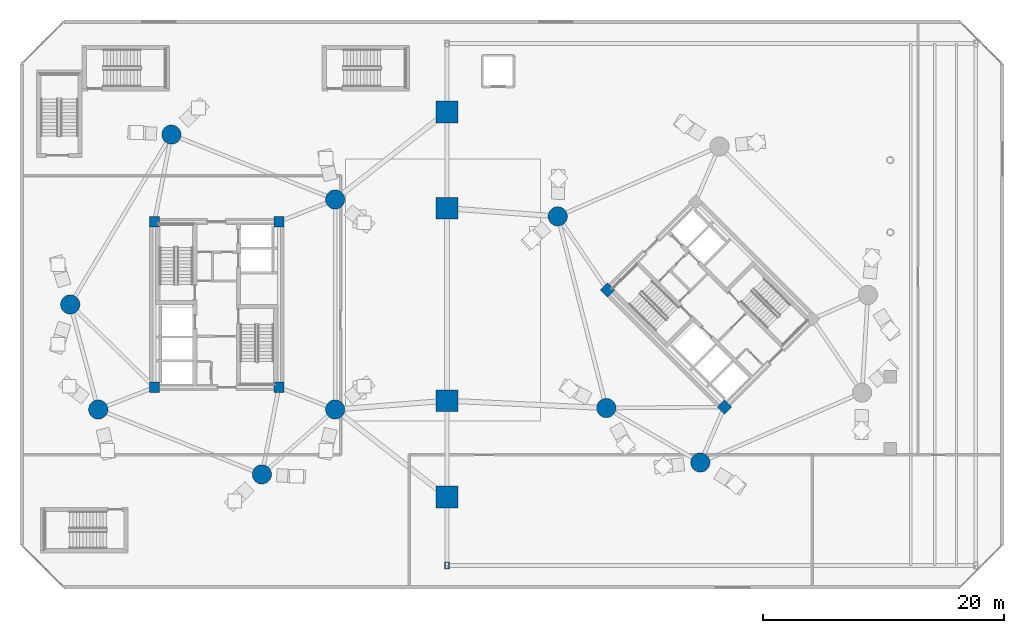
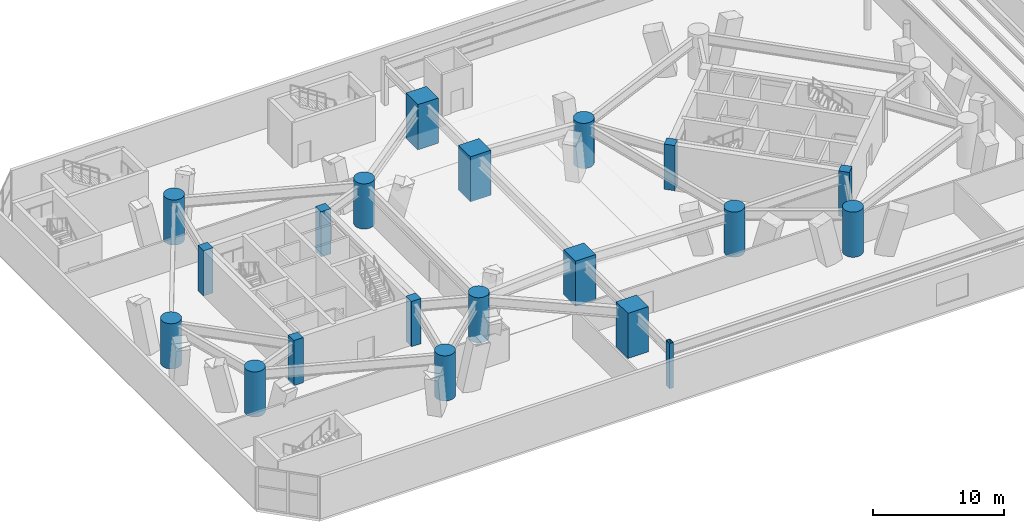
# One storey, part 1 of 20: 20 columns.
"""IFC4 building model written with IfcOpenShell, lengths in metres."""

from ifc_helpers import new_model, si_unit, direction, frame, origin, origin_2d, place, context, subcontext, project, spatial, rectangle, hollow_rectangle, circle, extrude, material, material_profile, profile_set, type_object, element, save


model = new_model("IFC4")

# Units and contexts
model_context = context("Model", 3, precision=1e-05, world=origin(), true_north=direction((0.0, 1.0)))
body_context = subcontext(model_context, "Body", "Model", "MODEL_VIEW")
ifc_project = project(units=[si_unit("LENGTHUNIT", "METRE"), si_unit("AREAUNIT", "SQUARE_METRE"), si_unit("VOLUMEUNIT", "CUBIC_METRE"), si_unit("PLANEANGLEUNIT", "RADIAN"), si_unit("MASSUNIT", "GRAM", prefix="KILO")], contexts=[model_context])

# Site, building, storey
site_placement = place(None, origin())
site = spatial("IfcSite", under=ifc_project, at=site_placement, CompositionType="ELEMENT")
building_placement = place(site_placement, origin())
building = spatial("IfcBuilding", under=site, at=building_placement, Name="Cununo Teusaquillo Station Towers", CompositionType="ELEMENT")
storey_placement = place(building_placement, frame((0.0, 0.0, 9.0)))
storey = spatial("IfcBuildingStorey", under=building, at=storey_placement, Name="L02", CompositionType="ELEMENT", Elevation=9.0)

# Columns
ifc_material_1 = material(Name="Concrete C50/60", Category="concrete")
ifc_material_profile_1 = material_profile(ifc_material_1, rectangle(XDim=0.85009765625, YDim=0.85009765625, at=origin_2d()), Name="RC-RECT-850x850")
ifc_profile_set_1 = profile_set([ifc_material_profile_1], Name="Concrete C50/60")
column_type_1 = type_object("IfcColumnType", Name="COL-CORE-Z1", PredefinedType="COLUMN", material=ifc_profile_set_1)
for number, where, z_axis, x_axis, name in (
    (1, (11.324951171875, 17.6201171875, 0.0), (0.0, 0.0, 1.0), (1.0, 0.0, 0.0), "L02 Tower A Core Column 1"),
    (2, (11.324951171875, 31.3798828125, 0.0), (0.0, 0.0, 1.0), (1.0, 0.0, 0.0), "L02 Tower A Core Column 2"),
    (3, (21.675048828125, 17.6201171875, 0.0), (0.0, 0.0, 1.0), (1.0, 0.0, 0.0), "L02 Tower A Core Column 3"),
    (4, (21.675048828125, 31.3798828125, 0.0), (0.0, 0.0, 1.0), (1.0, 0.0, 0.0), "L02 Tower A Core Column 4"),
    (5, (58.70556640625, 15.975830078125, 0.0), (0.0, 0.0, 1.0), (0.707106781187, 0.707106781187, 0.0), "L02 Tower B Core Column 1"),
    (6, (48.975830078125, 25.70556640625, 0.0), (0.0, 0.0, 1.0), (0.707106781187, 0.707106781187, 0.0), "L02 Tower B Core Column 2"),
):
    element("IfcColumn", number, at=place(storey_placement, frame(where, z_axis=z_axis, x_axis=x_axis)), inside=storey, type_object=column_type_1, Name=name, PredefinedType="COLUMN", context=body_context, shape_type="SweptSolid", body=[
        extrude(rectangle(XDim=0.85009765625, YDim=0.85009765625, at=origin_2d()), origin(), (0.0, 0.0, 1.0), 4.199951171875),
    ])
ifc_material_2 = material(Name="Concrete C60/75", Category="concrete")
ifc_material_profile_2 = material_profile(ifc_material_2, circle(Radius=0.800048828125, at=origin_2d()), Name="RC-CIRC-1600")
ifc_profile_set_2 = profile_set([ifc_material_profile_2], Name="Concrete C60/75")
column_type_2 = type_object("IfcColumnType", Name="COL-MEGA-POD", PredefinedType="USERDEFINED", material=ifc_profile_set_2)
for number, where, z_axis, x_axis, name in (
    (7, (26.347412109375, 33.228515625, 0.0), (0.0, 0.0, 1.0), (1.0, 0.0, 0.0), "L02 Tower A Perimeter Column V02"),
    (8, (12.738525390625, 38.623291015625, 0.0), (0.0, 0.0, 1.0), (1.0, 0.0, 0.0), "L02 Tower A Perimeter Column V06"),
    (9, (4.327880859375, 24.5, 0.0), (0.0, 0.0, 1.0), (1.0, 0.0, 0.0), "L02 Tower A Perimeter Column V10"),
    (10, (6.652587890625, 15.771484375, 0.0), (0.0, 0.0, 1.0), (1.0, 0.0, 0.0), "L02 Tower A Perimeter Column V12"),
    (11, (20.261474609375, 10.376708984375, 0.0), (0.0, 0.0, 1.0), (1.0, 0.0, 0.0), "L02 Tower A Perimeter Column V16"),
    (12, (26.347412109375, 15.771484375, 0.0), (0.0, 0.0, 1.0), (1.0, 0.0, 0.0), "L02 Tower A Perimeter Column V18"),
    (13, (44.853759765625, 31.826904296875, 0.0), (0.0, 0.0, 1.0), (1.0, 0.0, 0.0), "L02 Tower B Perimeter Column V06"),
    (14, (48.89306640625, 15.89306640625, 0.0), (0.0, 0.0, 1.0), (1.0, 0.0, 0.0), "L02 Tower B Perimeter Column V10"),
    (15, (56.708984375, 11.36474609375, 0.0), (0.0, 0.0, 1.0), (1.0, 0.0, 0.0), "L02 Tower B Perimeter Column V12"),
):
    element("IfcColumn", number, at=place(storey_placement, frame(where, z_axis=z_axis, x_axis=x_axis)), inside=storey, type_object=column_type_2, Name=name, ObjectType="MEGA COLUMN", PredefinedType="USERDEFINED", context=body_context, shape_type="SweptSolid", body=[
        extrude(circle(Radius=0.800048828125, at=origin_2d()), origin(), (0.0, 0.0, 1.0), 4.199951171875),
    ])
ifc_material_3 = material(Name="Steel ASTM A572 Grade 50", Category="steel")
ifc_material_profile_3 = material_profile(ifc_material_3, hollow_rectangle(XDim=0.35009765625, YDim=0.550048828125, WallThickness=0.02197265625, at=origin_2d()), Name="RHS 550x350x22")
ifc_profile_set_3 = profile_set([ifc_material_profile_3], Name="Steel ASTM A572 Grade 50")
column_type_3 = type_object("IfcColumnType", Name="COL-PILASTER", PredefinedType="PILASTER", material=ifc_profile_set_3)
column_placement = place(storey_placement, frame((35.64990234375, 2.800048828125, 0.0), z_axis=(0.0, 0.0, 1.0), x_axis=(1.0, 0.0, 0.0)))
element("IfcColumn", 16, at=column_placement, inside=storey, type_object=column_type_3, Name="L02 Station Hall Pilaster PIL-SW", PredefinedType="PILASTER", context=body_context, shape_type="SweptSolid", body=[
    extrude(hollow_rectangle(XDim=0.35009765625, YDim=0.550048828125, WallThickness=0.02197265625, at=origin_2d()), origin(), (0.0, 0.0, 1.0), 4.199951171875),
])
ifc_material_4 = material(Name="Concrete C60/75", Category="concrete")
ifc_material_profile_4 = material_profile(ifc_material_4, rectangle(XDim=1.800048828125, YDim=1.800048828125, at=origin_2d()), Name="RC-RECT-1800x1800")
ifc_profile_set_4 = profile_set([ifc_material_profile_4], Name="Concrete C60/75")
column_type_4 = type_object("IfcColumnType", Name="COL-POD-MEGA", PredefinedType="USERDEFINED", material=ifc_profile_set_4)
for number, where, z_axis, x_axis, name in (
    (17, (35.64990234375, 8.5, 0.0), (0.0, 0.0, 1.0), (1.0, 0.0, 0.0), "L02 Station Mega-Column PMC-S"),
    (18, (35.64990234375, 16.5, 0.0), (0.0, 0.0, 1.0), (1.0, 0.0, 0.0), "L02 Station Mega-Column PMC-M1"),
    (19, (35.64990234375, 32.5, 0.0), (0.0, 0.0, 1.0), (1.0, 0.0, 0.0), "L02 Station Mega-Column PMC-M2"),
    (20, (35.64990234375, 40.5, 0.0), (0.0, 0.0, 1.0), (1.0, 0.0, 0.0), "L02 Station Mega-Column PMC-N"),
):
    element("IfcColumn", number, at=place(storey_placement, frame(where, z_axis=z_axis, x_axis=x_axis)), inside=storey, type_object=column_type_4, Name=name, ObjectType="MEGA COLUMN", PredefinedType="USERDEFINED", context=body_context, shape_type="SweptSolid", body=[
        extrude(rectangle(XDim=1.800048828125, YDim=1.800048828125, at=origin_2d()), origin(), (0.0, 0.0, 1.0), 4.199951171875),
    ])

save(model, "model.ifc")
